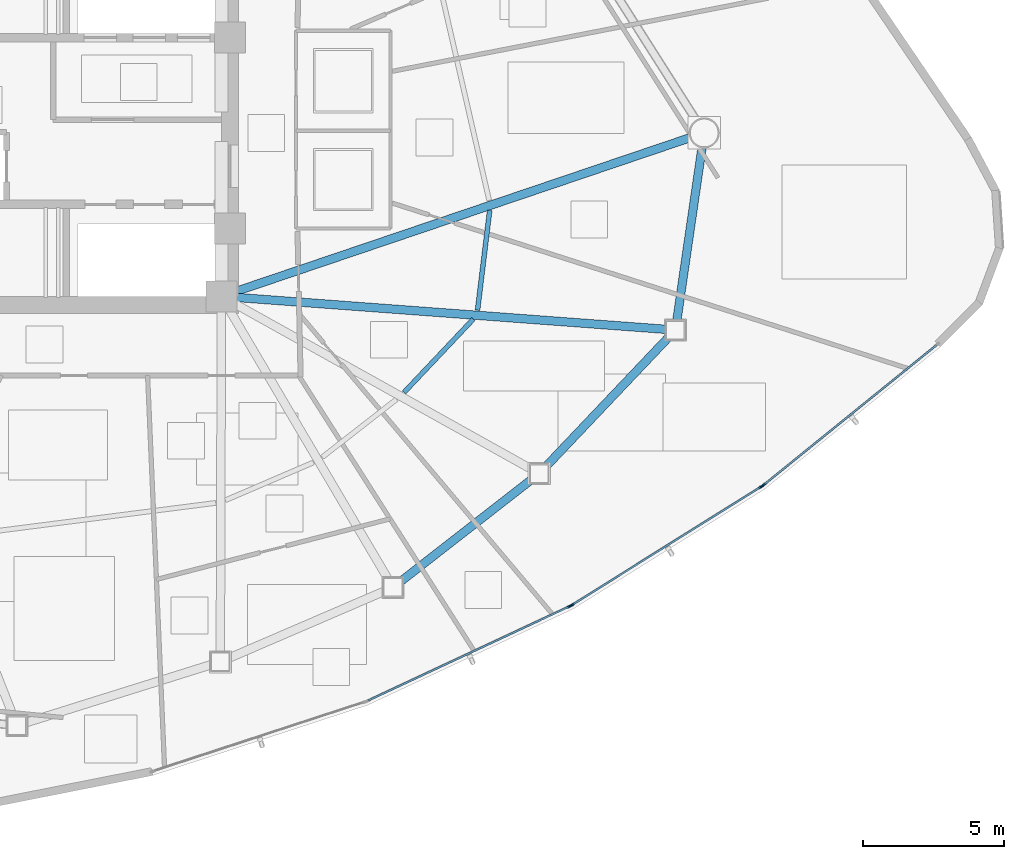
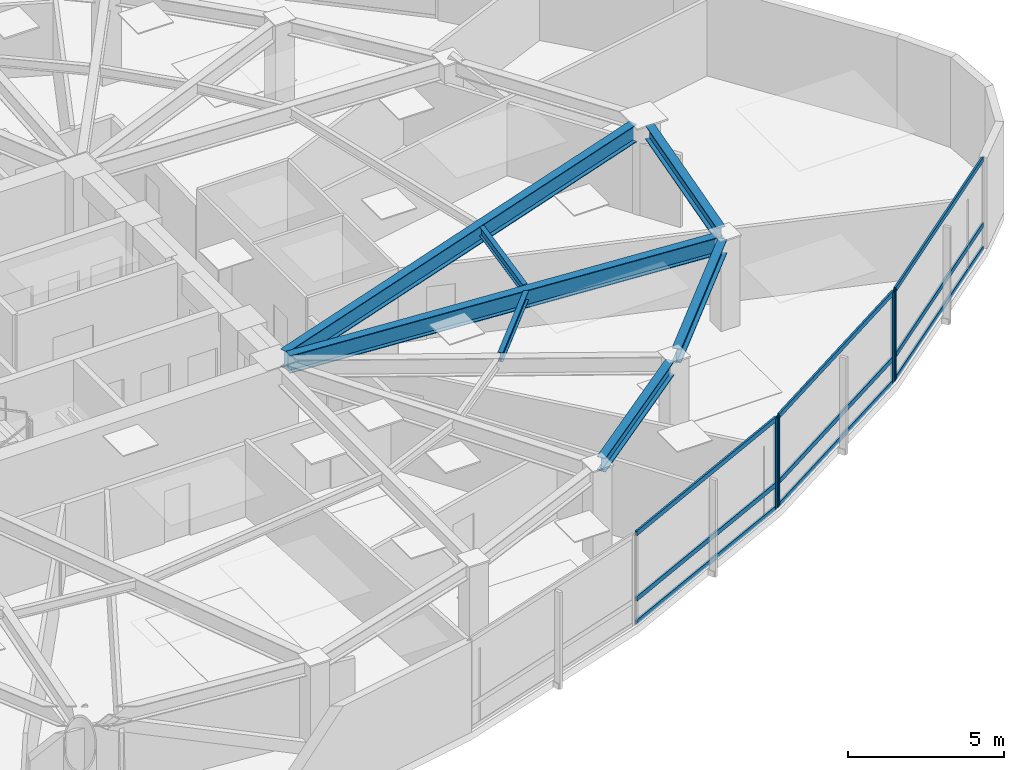
# One storey, part 5 of 17: 13 members, 7 beams, 3 elements without a shape of their own.
"""IFC4 building model written with IfcOpenShell, lengths in metres."""

import ifcopenshell
import ifcopenshell.guid

model = None  # the IFC model being written
_history = None  # IfcOwnerHistory: only IFC2X3 demands one
_inside = {}  # id of a spatial element -> (the spatial element, [elements in it])
_under = {}  # id of a project, library or spatial element -> (it, [spatial elements below it])
_declared = {}  # id of a project -> (the project, [libraries it declares])
_typed = {}  # id of a type object -> (the type object, [elements of that type])
_made_of = {}  # id of a material, layer set ... -> (it, [elements and type objects made of it])


def new_model(schema):
    """Start an empty IFC model of exactly this schema.

    Asked for "IFC4X3", IfcOpenShell would pick the latest addendum, in which some entities
    have other attributes; the version numbers below select the first issue.
    IFC2X3 requires an IfcOwnerHistory on every rooted entity: one is made here for all.
    """
    global model, _history
    if schema == "IFC4X3":
        model = ifcopenshell.file(schema_version=(4, 3, 0, 0))
    else:
        model = ifcopenshell.file(schema=schema)
    _inside.clear()
    _under.clear()
    _declared.clear()
    _typed.clear()
    _made_of.clear()
    _history = None
    if model.schema == "IFC2X3":
        org = make("IfcOrganization", Name="unknown")
        user = make(
            "IfcPersonAndOrganization",
            ThePerson=make("IfcPerson", FamilyName="unknown"),
            TheOrganization=org,
        )
        app = make(
            "IfcApplication",
            ApplicationDeveloper=org,
            Version="unknown",
            ApplicationFullName="unknown",
            ApplicationIdentifier="unknown",
        )
        _history = make(
            "IfcOwnerHistory",
            OwningUser=user,
            OwningApplication=app,
            ChangeAction="ADDED",
            CreationDate=0,
        )
    return model


def make(cls, **values):
    """One entity of the class cls with the attributes given. An attribute that is None is left unset."""
    return model.create_entity(
        cls, **{name: value for name, value in values.items() if value is not None}
    )


def rooted(cls, **values):
    """An entity with a GlobalId (a new one), such as an element, a storey or a relation."""
    return make(cls, GlobalId=ifcopenshell.guid.new(), OwnerHistory=_history, **values)


def si_unit(unit_type, name, prefix=None):
    """IfcSIUnit, for example si_unit("LENGTHUNIT", "METRE", prefix="MILLI")."""
    return make("IfcSIUnit", UnitType=unit_type, Prefix=prefix, Name=name)


def assignment(units):
    """IfcUnitAssignment: the units of a project."""
    return None if units is None else make("IfcUnitAssignment", Units=units)


def point(xyz):
    """IfcCartesianPoint."""
    return None if xyz is None else make("IfcCartesianPoint", Coordinates=xyz)


def direction(xyz):
    """IfcDirection."""
    return None if xyz is None else make("IfcDirection", DirectionRatios=xyz)


def frame(location, z_axis=None, x_axis=None):
    """IfcAxis2Placement3D, a coordinate frame: its origin and axes. An axis left out is left unset."""
    return make(
        "IfcAxis2Placement3D",
        Location=point(location),
        Axis=direction(z_axis),
        RefDirection=direction(x_axis),
    )


def frame_2d(location, x_axis=None):
    """IfcAxis2Placement2D, a coordinate frame in the plane: its origin and x axis."""
    return make(
        "IfcAxis2Placement2D", Location=point(location), RefDirection=direction(x_axis)
    )


def origin():
    """The frame at (0, 0, 0) with its axes left unset."""
    return frame((0.0, 0.0, 0.0))


def origin_2d():
    """The frame at (0, 0) in the plane with its x axis left unset."""
    return frame_2d((0.0, 0.0))


def place(relative_to, where):
    """IfcLocalPlacement: puts the frame where relative to a parent placement (None: the world)."""
    return make(
        "IfcLocalPlacement", PlacementRelTo=relative_to, RelativePlacement=where
    )


def context(
    kind, dimensions, precision=None, world=None, true_north=None, identifier=None
):
    """IfcGeometricRepresentationContext, for example the 3D "Model" context."""
    return make(
        "IfcGeometricRepresentationContext",
        ContextIdentifier=identifier,
        ContextType=kind,
        CoordinateSpaceDimension=dimensions,
        Precision=precision,
        WorldCoordinateSystem=world,
        TrueNorth=true_north,
    )


def subcontext(parent, identifier, kind, view, scale=None):
    """IfcGeometricRepresentationSubContext, for example "Body" below "Model"."""
    return make(
        "IfcGeometricRepresentationSubContext",
        ContextIdentifier=identifier,
        ContextType=kind,
        ParentContext=parent,
        TargetScale=scale,
        TargetView=view,
    )


def project(units=None, contexts=None):
    """IfcProject with its units and contexts."""
    return rooted(
        "IfcProject",
        Name="project",
        RepresentationContexts=contexts,
        UnitsInContext=assignment(units),
    )


def spatial(cls, under=None, at=None, **own):
    """A site, building, storey or space (cls), placed at a placement, below another one or the project."""
    s = rooted(cls, ObjectPlacement=at, **own)
    if under is not None:
        _under.setdefault(under.id(), (under, []))[1].append(s)
    return s


def profile(cls, at=None, kind="AREA", **sizes):
    """A parametric profile (cls). Its sizes go by their IFC names, for example OverallWidth=200.0."""
    return make(cls, ProfileType=kind, Position=at, **sizes)


def hollow_rectangle(**sizes):
    """IfcRectangleHollowProfileDef."""
    return profile("IfcRectangleHollowProfileDef", **sizes)


def i_section(**sizes):
    """IfcIShapeProfileDef."""
    return profile("IfcIShapeProfileDef", **sizes)


def extrude(swept, where, along, depth):
    """IfcExtrudedAreaSolid: the profile swept, set in the frame where, extruded along a direction by depth."""
    return make(
        "IfcExtrudedAreaSolid",
        SweptArea=swept,
        Position=where,
        ExtrudedDirection=direction(along),
        Depth=depth,
    )


def shape(context_of_items, identifier, shape_type, items):
    """IfcShapeRepresentation: the items that make up one representation, for example the "Body"."""
    return make(
        "IfcShapeRepresentation",
        ContextOfItems=context_of_items,
        RepresentationIdentifier=identifier,
        RepresentationType=shape_type,
        Items=items,
    )


def source(mapping_origin, context_of_items, identifier, shape_type, items):
    """IfcRepresentationMap: a shape defined once, which mapped items show again and again."""
    return make(
        "IfcRepresentationMap",
        MappingOrigin=mapping_origin,
        MappedRepresentation=shape(context_of_items, identifier, shape_type, items),
    )


def transform(
    local_origin,
    x_axis=None,
    y_axis=None,
    z_axis=None,
    scale=None,
    scale2=None,
    scale3=None,
    uniform=True,
):
    """IfcCartesianTransformationOperator3D, or its non-uniform kind. x_axis, y_axis, z_axis: its Axis1, 2, 3."""
    if uniform:
        return make(
            "IfcCartesianTransformationOperator3D",
            Axis1=direction(x_axis),
            Axis2=direction(y_axis),
            LocalOrigin=point(local_origin),
            Scale=scale,
            Axis3=direction(z_axis),
        )
    return make(
        "IfcCartesianTransformationOperator3DnonUniform",
        Axis1=direction(x_axis),
        Axis2=direction(y_axis),
        LocalOrigin=point(local_origin),
        Scale=scale,
        Axis3=direction(z_axis),
        Scale2=scale2,
        Scale3=scale3,
    )


def mapped(mapping_source, mapping_target):
    """IfcMappedItem: shows the shape of a source again, moved by a transform."""
    return make(
        "IfcMappedItem", MappingSource=mapping_source, MappingTarget=mapping_target
    )


def material(Name=None, Category=None):
    """IfcMaterial."""
    return make("IfcMaterial", Name=Name, Category=Category)


def layer(
    of_material, thickness, ventilated=None, Name=None, Category=None, Priority=None
):
    """IfcMaterialLayer: one layer of a wall or slab, of a material (None: an air gap)."""
    return make(
        "IfcMaterialLayer",
        Material=of_material,
        LayerThickness=thickness,
        IsVentilated=ventilated,
        Name=Name,
        Category=Category,
        Priority=Priority,
    )


def layer_set(layers, Name=None):
    """IfcMaterialLayerSet."""
    return make("IfcMaterialLayerSet", MaterialLayers=layers, LayerSetName=Name)


def material_profile(
    of_material, cross_section, Name=None, Category=None, Priority=None
):
    """IfcMaterialProfile: a cross section and its material."""
    return make(
        "IfcMaterialProfile",
        Name=Name,
        Material=of_material,
        Profile=cross_section,
        Priority=Priority,
        Category=Category,
    )


def profile_set(profiles, Name=None, composite=None):
    """IfcMaterialProfileSet."""
    return make(
        "IfcMaterialProfileSet",
        Name=Name,
        MaterialProfiles=profiles,
        CompositeProfile=composite,
    )


def made_of(thing, what):
    """Note that an element or type object is made of a material, layer set ...; save() writes the relation."""
    if what is not None:
        _made_of.setdefault(what.id(), (what, []))[1].append(thing)
    return thing


def type_object(cls, material=None, **own):
    """A type object (cls), such as IfcWallType, which elements share."""
    return made_of(rooted(cls, **own), material)


def type_shapes(of_type, sources):
    """Give a type object the sources (RepresentationMaps) that its elements show as mapped items."""
    of_type.RepresentationMaps = sources


def element(
    cls,
    number,
    at=None,
    inside=None,
    cuts=None,
    type_object=None,
    material=None,
    context=None,
    identifier="Body",
    shape_type=None,
    held_by="IfcProductDefinitionShape",
    body=None,
    shapes=None,
    **own,
):
    """One element of the class cls, such as IfcWall. Its Tag is "e" and its number.

    at: its placement. inside: the storey or other place that contains it. cuts: it is an
    opening in that element (IfcRelVoidsElement). A single representation is given by context,
    identifier, shape_type and body (its items); several are given by shapes. held_by: the class
    of the entity that holds the representations. save() writes the other relations.
    """
    e = rooted(cls, Tag="e%d" % number, ObjectPlacement=at, **own)
    if body is not None:
        shapes = [shape(context, identifier, shape_type, body)]
    if shapes is not None:
        e.Representation = make(held_by, Representations=shapes)
    if inside is not None:
        _inside.setdefault(inside.id(), (inside, []))[1].append(e)
    if cuts is not None:
        rooted(
            "IfcRelVoidsElement", RelatingBuildingElement=cuts, RelatedOpeningElement=e
        )
    if type_object is not None:
        _typed.setdefault(type_object.id(), (type_object, []))[1].append(e)
    return made_of(e, material)


def aggregate(whole, parts):
    """IfcRelAggregates: a whole, such as a stair, and the parts it consists of."""
    return rooted("IfcRelAggregates", RelatingObject=whole, RelatedObjects=parts)


def save(model, path):
    """Write the relations noted so far, then the file.

    IfcRelAggregates (storeys below a building ...), IfcRelContainedInSpatialStructure (elements
    in a storey), IfcRelDefinesByType, IfcRelAssociatesMaterial and IfcRelDeclares: one each for
    every whole, place, type object, material and project.
    """
    for whole, parts in _under.values():
        aggregate(whole, parts)
    for where, things in _inside.values():
        rooted(
            "IfcRelContainedInSpatialStructure",
            RelatedElements=things,
            RelatingStructure=where,
        )
    for kind, things in _typed.values():
        rooted("IfcRelDefinesByType", RelatedObjects=things, RelatingType=kind)
    for what, things in _made_of.values():
        rooted("IfcRelAssociatesMaterial", RelatedObjects=things, RelatingMaterial=what)
    for by, libraries in _declared.values():
        rooted("IfcRelDeclares", RelatingContext=by, RelatedDefinitions=libraries)
    model.write(path)


model = new_model("IFC4")

# Units and contexts
model_context = context("Model", 3, precision=1e-05, world=origin(), true_north=direction((0.0, 1.0)))
body_context = subcontext(model_context, "Body", "Model", "MODEL_VIEW")
ifc_project = project(units=[si_unit("LENGTHUNIT", "METRE"), si_unit("AREAUNIT", "SQUARE_METRE"), si_unit("VOLUMEUNIT", "CUBIC_METRE"), si_unit("PLANEANGLEUNIT", "RADIAN"), si_unit("MASSUNIT", "GRAM", prefix="KILO")], contexts=[model_context])

# Site, building, storey
site_placement = place(None, origin())
site = spatial("IfcSite", under=ifc_project, at=site_placement, CompositionType="ELEMENT")
building_placement = place(site_placement, origin())
building = spatial("IfcBuilding", under=site, at=building_placement, Name="Tavelor Broadcast Tower", CompositionType="ELEMENT")
storey_placement = place(building_placement, frame((0.0, 0.0, 123.300048828125)))
storey = spatial("IfcBuildingStorey", under=building, at=storey_placement, Name="L28", CompositionType="ELEMENT", Elevation=123.300048828125)

# Beams
ifc_material_1 = material(Name="Steel S355", Category="steel")
ifc_material_profile_1 = material_profile(ifc_material_1, i_section(OverallWidth=0.169921875, OverallDepth=0.360107421875, WebThickness=0.008056640625, FlangeThickness=0.0126953125, at=origin_2d()), Name="IPE 360")
ifc_profile_set_1 = profile_set([ifc_material_profile_1], Name="Steel S355")
beam_type_1 = type_object("IfcBeamType", Name="Composite Floor Joist T3 IPE 360", PredefinedType="JOIST", material=ifc_profile_set_1)
beam_1_placement = place(storey_placement, frame((63.05859375, 35.39990234375, 3.369873046875), z_axis=(0.686806065531, 0.726840717317, 0.0), x_axis=(-0.726840717317, 0.686806065531, 0.0)))
element("IfcBeam", 1, at=beam_1_placement, inside=storey, type_object=beam_type_1, Name="L28 Secondary Composite Floor Joist 11", PredefinedType="JOIST", context=body_context, shape_type="SweptSolid", body=[
    extrude(i_section(OverallWidth=0.169921875, OverallDepth=0.360107421875, WebThickness=0.008056640625, FlangeThickness=0.0126953125, at=origin_2d()), origin(), (0.0, 0.0, 1.0), 3.573486328125),
])
beam_2_placement = place(storey_placement, frame((65.6591796875, 38.30859375, 3.369873046875), z_axis=(0.120874566199, 0.992667788964, 0.0), x_axis=(-0.992667788964, 0.120874566199, 0.0)))
element("IfcBeam", 2, at=beam_2_placement, inside=storey, type_object=beam_type_1, Name="L28 Secondary Composite Floor Joist 12", PredefinedType="JOIST", context=body_context, shape_type="SweptSolid", body=[
    extrude(i_section(OverallWidth=0.169921875, OverallDepth=0.360107421875, WebThickness=0.008056640625, FlangeThickness=0.0126953125, at=origin_2d()), origin(), (0.0, 0.0, 1.0), 3.556884765625),
])
ifc_material_profile_2 = material_profile(ifc_material_1, i_section(OverallWidth=0.300048828125, OverallDepth=0.550048828125, WebThickness=0.014892578125, FlangeThickness=0.029052734375, at=origin_2d()), Name="HEB 550")
ifc_profile_set_2 = profile_set([ifc_material_profile_2], Name="Steel S355")
beam_type_2 = type_object("IfcBeamType", Name="Perimeter Spandrel Beam T3 HEB 550", PredefinedType="SPANDREL", material=ifc_profile_set_2)
beam_3_placement = place(storey_placement, frame((62.934326171875, 28.709716796875, 3.27490234375), z_axis=(0.788970059341, 0.614431644257, 0.0), x_axis=(-0.614431644257, 0.788970059341, 0.0)))
element("IfcBeam", 3, at=beam_3_placement, inside=storey, type_object=beam_type_2, Name="L28 Framed-Tube Ring Spandrel 10", PredefinedType="SPANDREL", context=body_context, shape_type="SweptSolid", body=[
    extrude(i_section(OverallWidth=0.300048828125, OverallDepth=0.550048828125, WebThickness=0.014892578125, FlangeThickness=0.029052734375, at=origin_2d()), origin(), (0.0, 0.0, 1.0), 5.884765625),
])
beam_4_placement = place(storey_placement, frame((68.073486328125, 32.775390625, 3.27490234375), z_axis=(0.688378130541, 0.72535201757, 0.0), x_axis=(-0.72535201757, 0.688378130541, 0.0)))
element("IfcBeam", 4, at=beam_4_placement, inside=storey, type_object=beam_type_2, Name="L28 Framed-Tube Ring Spandrel 11", PredefinedType="SPANDREL", context=body_context, shape_type="SweptSolid", body=[
    extrude(i_section(OverallWidth=0.300048828125, OverallDepth=0.550048828125, WebThickness=0.014892578125, FlangeThickness=0.029052734375, at=origin_2d()), origin(), (0.0, 0.0, 1.0), 6.32568359375),
])
beam_5_placement = place(storey_placement, frame((72.707763671875, 37.93994140625, 3.27490234375), z_axis=(0.144294035731, 0.989534856007, 0.0), x_axis=(-0.989534856007, 0.144294035731, 0.0)))
element("IfcBeam", 5, at=beam_5_placement, inside=storey, type_object=beam_type_2, Name="L28 Framed-Tube Ring Spandrel 12", PredefinedType="SPANDREL", context=body_context, shape_type="SweptSolid", body=[
    extrude(i_section(OverallWidth=0.300048828125, OverallDepth=0.550048828125, WebThickness=0.014892578125, FlangeThickness=0.029052734375, at=origin_2d()), origin(), (0.0, 0.0, 1.0), 6.19775390625),
])
ifc_material_profile_3 = material_profile(ifc_material_1, i_section(OverallWidth=0.300048828125, OverallDepth=0.68994140625, WebThickness=0.014404296875, FlangeThickness=0.027099609375, at=origin_2d()), Name="HEA 700")
ifc_profile_set_3 = profile_set([ifc_material_profile_3], Name="Steel S355")
beam_type_3 = type_object("IfcBeamType", Name="Radial Floor Girder T3 HEA 700", PredefinedType="BEAM", material=ifc_profile_set_3)
beam_6_placement = place(storey_placement, frame((57.126708984375, 38.760986328125, 3.204833984375), z_axis=(0.997253617312, -0.074062289721, 0.0), x_axis=(0.074062289721, 0.997253617312, 0.0)))
element("IfcBeam", 6, at=beam_6_placement, inside=storey, type_object=beam_type_3, Name="L28 Radial Primary Floor Girder 12", PredefinedType="BEAM", context=body_context, shape_type="SweptSolid", body=[
    extrude(i_section(OverallWidth=0.300048828125, OverallDepth=0.68994140625, WebThickness=0.014404296875, FlangeThickness=0.027099609375, at=origin_2d()), origin(), (0.0, 0.0, 1.0), 15.2392578125),
])
beam_7_placement = place(storey_placement, frame((57.10009765625, 38.96923828125, 3.204833984375), z_axis=(0.947217379582, 0.32059200835, 0.0), x_axis=(-0.32059200835, 0.947217379582, 0.0)))
element("IfcBeam", 7, at=beam_7_placement, inside=storey, type_object=beam_type_3, Name="L28 Radial Primary Floor Girder 13", PredefinedType="BEAM", context=body_context, shape_type="SweptSolid", body=[
    extrude(i_section(OverallWidth=0.300048828125, OverallDepth=0.68994140625, WebThickness=0.014404296875, FlangeThickness=0.027099609375, at=origin_2d()), origin(), (0.0, 0.0, 1.0), 16.987548828125),
])

# Curtain wall, member
ifc_material_2 = material(Name="Architectural Anodized Aluminium", Category="aluminium")
ifc_layer = layer(ifc_material_2, 0.18994140625)
ifc_layer_set = layer_set([ifc_layer], Name="Architectural Anodized Aluminium")
curtain_wall_type = type_object("IfcCurtainWallType", Name="Tower Mid-Zone Acoustic Curtain Wall CW03", PredefinedType="NOTDEFINED", material=ifc_layer_set)
curtain_wall_1_placement = place(storey_placement, origin())
curtain_wall_1 = element("IfcCurtainWall", 8, at=curtain_wall_1_placement, inside=storey, type_object=curtain_wall_type, Name="L28 Curtain Wall CW03 Run 282", PredefinedType="NOTDEFINED")
ifc_material_profile_4 = material_profile(ifc_material_2, hollow_rectangle(XDim=0.068115234375, YDim=0.18994140625, WallThickness=0.02197265625, at=origin_2d()), Name="RHS 68x190x22")
ifc_profile_set_4 = profile_set([ifc_material_profile_4], Name="Architectural Anodized Aluminium")
member_type_1 = type_object("IfcMemberType", Name="CW03 Extruded Aluminium Mullion 68x190", PredefinedType="MULLION", material=ifc_profile_set_4)
shared_shape_1 = source(origin(), body_context, "Body", "SweptSolid", [
    extrude(hollow_rectangle(XDim=0.068115234375, YDim=0.18994140625, WallThickness=0.02197265625, at=origin_2d()), origin(), (0.0, 0.0, 1.0), 3.550048828125),
])
type_shapes(member_type_1, [shared_shape_1])
member_1_placement = place(storey_placement, frame((68.91748046875, 27.836181640625, 0.0), z_axis=(0.0, 0.0, 1.0), x_axis=(-0.423802357627, 0.905754691774, 0.0)))
member_1 = element("IfcMember", 9, at=member_1_placement, type_object=member_type_1, Name="CW03 mullion 2", PredefinedType="MULLION", context=body_context, shape_type="MappedRepresentation", body=[
    mapped(shared_shape_1, transform((0.0, 0.0, 0.0), scale=1.0)),
])

# Curtain wall, members
curtain_wall_2_placement = place(storey_placement, origin())
curtain_wall_2 = element("IfcCurtainWall", 10, at=curtain_wall_2_placement, inside=storey, type_object=curtain_wall_type, Name="L28 Curtain Wall CW03 Run 283", PredefinedType="NOTDEFINED")
member_2_placement = place(storey_placement, frame((69.00341796875, 27.883056640625, 0.0), z_axis=(0.0, 0.0, 1.0), x_axis=(-0.530292624432, 0.847814680501, 0.0)))
member_2 = element("IfcMember", 11, at=member_2_placement, type_object=member_type_1, Name="CW03 mullion 1", PredefinedType="MULLION", context=body_context, shape_type="MappedRepresentation", body=[
    mapped(shared_shape_1, transform((0.0, 0.0, 0.0), scale=1.0)),
])
member_3_placement = place(storey_placement, frame((75.69189453125, 32.066650390625, 0.0), z_axis=(0.0, 0.0, 1.0), x_axis=(-0.530292624432, 0.847814680501, 0.0)))
member_3 = element("IfcMember", 12, at=member_3_placement, type_object=member_type_1, Name="CW03 mullion 2", PredefinedType="MULLION", context=body_context, shape_type="MappedRepresentation", body=[
    mapped(shared_shape_1, transform((0.0, 0.0, 0.0), scale=1.0)),
])

# Curtain wall, member
curtain_wall_3_placement = place(storey_placement, origin())
curtain_wall_3 = element("IfcCurtainWall", 13, at=curtain_wall_3_placement, inside=storey, type_object=curtain_wall_type, Name="L28 Curtain Wall CW03 Run 284", PredefinedType="NOTDEFINED")
member_4_placement = place(storey_placement, frame((75.771484375, 32.123291015625, 0.0), z_axis=(0.0, 0.0, 1.0), x_axis=(-0.628995795399, 0.77740870163, 0.0)))
member_4 = element("IfcMember", 14, at=member_4_placement, type_object=member_type_1, Name="CW03 mullion 1", PredefinedType="MULLION", context=body_context, shape_type="MappedRepresentation", body=[
    mapped(shared_shape_1, transform((0.0, 0.0, 0.0), scale=1.0)),
])

# Member
ifc_material_profile_5 = material_profile(ifc_material_2, hollow_rectangle(XDim=0.068115234375, YDim=0.18994140625, WallThickness=0.02197265625, at=origin_2d()), Name="RHS 68x190x22")
ifc_profile_set_5 = profile_set([ifc_material_profile_5], Name="Architectural Anodized Aluminium")
member_type_2 = type_object("IfcMemberType", Name="CW03 Extruded Aluminium Transom 68x190", PredefinedType="USERDEFINED", material=ifc_profile_set_5)
shared_shape_2 = source(origin(), body_context, "Body", "SweptSolid", [
    extrude(hollow_rectangle(XDim=0.068115234375, YDim=0.18994140625, WallThickness=0.02197265625, at=origin_2d()), origin(), (0.0, 0.0, 1.0), 7.821044921875),
])
member_5_placement = place(storey_placement, frame((61.802734375, 24.50732421875, 0.033935546875), z_axis=(0.905761617414, 0.423787555763, 0.0), x_axis=(-0.423787555763, 0.905761617414, 0.0)))
member_5 = element("IfcMember", 15, at=member_5_placement, type_object=member_type_2, Name="CW03 transom 1.1", ObjectType="TRANSOM", PredefinedType="USERDEFINED", context=body_context, shape_type="MappedRepresentation", body=[
    mapped(shared_shape_2, transform((0.0, 0.0, 0.0), scale=1.0)),
])

member_6_placement = place(storey_placement, frame((61.802734375, 24.50732421875, 0.949951171875), z_axis=(0.905761617414, 0.423787555763, 0.0), x_axis=(-0.423787555763, 0.905761617414, 0.0)))
member_6 = element("IfcMember", 16, at=member_6_placement, type_object=member_type_2, Name="CW03 transom 1.2", ObjectType="TRANSOM", PredefinedType="USERDEFINED", context=body_context, shape_type="MappedRepresentation", body=[
    mapped(shared_shape_2, transform((0.0, 0.0, 0.0), scale=1.0)),
])

member_7_placement = place(storey_placement, frame((61.802734375, 24.50732421875, 3.515869140625), z_axis=(0.905761617414, 0.423787555763, 0.0), x_axis=(-0.423787555763, 0.905761617414, 0.0)))
member_7 = element("IfcMember", 17, at=member_7_placement, type_object=member_type_2, Name="CW03 transom 1.3", ObjectType="TRANSOM", PredefinedType="USERDEFINED", context=body_context, shape_type="MappedRepresentation", body=[
    mapped(shared_shape_2, transform((0.0, 0.0, 0.0), scale=1.0)),
])

aggregate(curtain_wall_1, [member_1, member_5, member_6, member_7])

shared_shape_3 = source(origin(), body_context, "Body", "SweptSolid", [
    extrude(hollow_rectangle(XDim=0.068115234375, YDim=0.18994140625, WallThickness=0.02197265625, at=origin_2d()), origin(), (0.0, 0.0, 1.0), 7.8369140625),
])
member_8_placement = place(storey_placement, frame((75.7978515625, 32.144775390625, 0.033935546875), z_axis=(0.777407349193, 0.628997466943, 0.0), x_axis=(-0.628997466943, 0.777407349193, 0.0)))
member_8 = element("IfcMember", 18, at=member_8_placement, type_object=member_type_2, Name="CW03 transom 1.1", ObjectType="TRANSOM", PredefinedType="USERDEFINED", context=body_context, shape_type="MappedRepresentation", body=[
    mapped(shared_shape_3, transform((0.0, 0.0, 0.0), scale=1.0)),
])

member_9_placement = place(storey_placement, frame((75.7978515625, 32.144775390625, 0.949951171875), z_axis=(0.777407349193, 0.628997466943, 0.0), x_axis=(-0.628997466943, 0.777407349193, 0.0)))
member_9 = element("IfcMember", 19, at=member_9_placement, type_object=member_type_2, Name="CW03 transom 1.2", ObjectType="TRANSOM", PredefinedType="USERDEFINED", context=body_context, shape_type="MappedRepresentation", body=[
    mapped(shared_shape_3, transform((0.0, 0.0, 0.0), scale=1.0)),
])

member_10_placement = place(storey_placement, frame((75.7978515625, 32.144775390625, 3.515869140625), z_axis=(0.777407349193, 0.628997466943, 0.0), x_axis=(-0.628997466943, 0.777407349193, 0.0)))
member_10 = element("IfcMember", 20, at=member_10_placement, type_object=member_type_2, Name="CW03 transom 1.3", ObjectType="TRANSOM", PredefinedType="USERDEFINED", context=body_context, shape_type="MappedRepresentation", body=[
    mapped(shared_shape_3, transform((0.0, 0.0, 0.0), scale=1.0)),
])

aggregate(curtain_wall_3, [member_4, member_8, member_9, member_10])

shared_shape_4 = source(origin(), body_context, "Body", "SweptSolid", [
    extrude(hollow_rectangle(XDim=0.068115234375, YDim=0.18994140625, WallThickness=0.02197265625, at=origin_2d()), origin(), (0.0, 0.0, 1.0), 7.82080078125),
])
type_shapes(member_type_2, [shared_shape_2, shared_shape_3, shared_shape_4])
member_11_placement = place(storey_placement, frame((69.0322265625, 27.901123046875, 0.033935546875), z_axis=(0.847807092043, 0.53030475642, 0.0), x_axis=(-0.53030475642, 0.847807092043, 0.0)))
member_11 = element("IfcMember", 21, at=member_11_placement, type_object=member_type_2, Name="CW03 transom 1.1", ObjectType="TRANSOM", PredefinedType="USERDEFINED", context=body_context, shape_type="MappedRepresentation", body=[
    mapped(shared_shape_4, transform((0.0, 0.0, 0.0), scale=1.0)),
])

member_12_placement = place(storey_placement, frame((69.0322265625, 27.901123046875, 0.949951171875), z_axis=(0.847807092043, 0.53030475642, 0.0), x_axis=(-0.53030475642, 0.847807092043, 0.0)))
member_12 = element("IfcMember", 22, at=member_12_placement, type_object=member_type_2, Name="CW03 transom 1.2", ObjectType="TRANSOM", PredefinedType="USERDEFINED", context=body_context, shape_type="MappedRepresentation", body=[
    mapped(shared_shape_4, transform((0.0, 0.0, 0.0), scale=1.0)),
])

member_13_placement = place(storey_placement, frame((69.0322265625, 27.901123046875, 3.515869140625), z_axis=(0.847807092043, 0.53030475642, 0.0), x_axis=(-0.53030475642, 0.847807092043, 0.0)))
member_13 = element("IfcMember", 23, at=member_13_placement, type_object=member_type_2, Name="CW03 transom 1.3", ObjectType="TRANSOM", PredefinedType="USERDEFINED", context=body_context, shape_type="MappedRepresentation", body=[
    mapped(shared_shape_4, transform((0.0, 0.0, 0.0), scale=1.0)),
])

aggregate(curtain_wall_2, [member_2, member_3, member_11, member_12, member_13])

save(model, "model.ifc")
